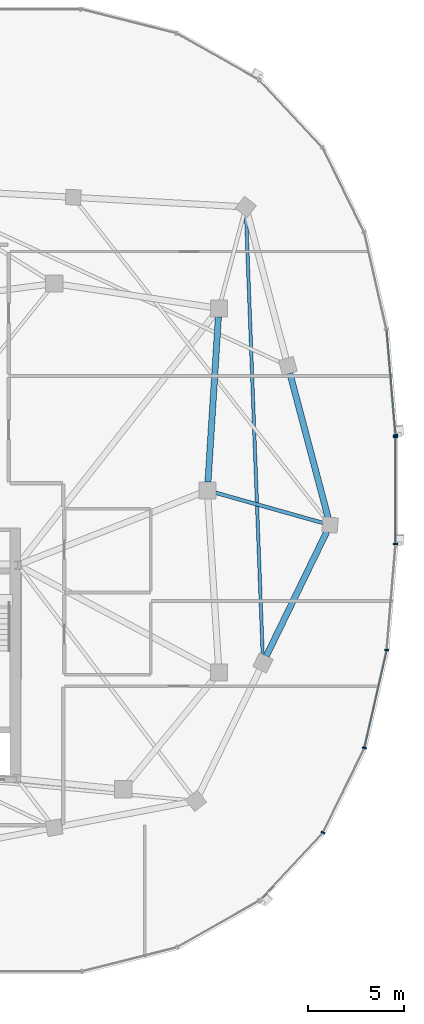
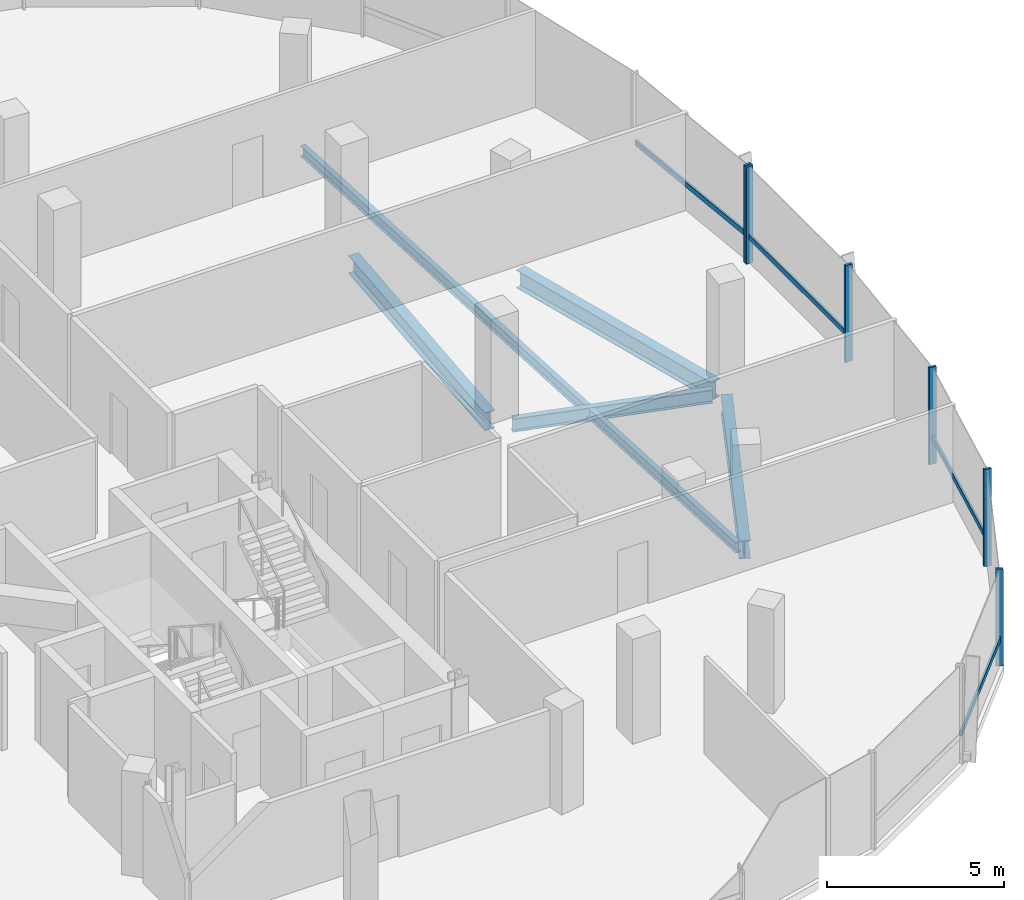
# One storey, part 9 of 25: 10 members, 5 beams, 2 elements without a shape of their own.
"""IFC4 building model written with IfcOpenShell, lengths in metres."""

from ifc_helpers import new_model, si_unit, direction, frame, origin, origin_2d, place, context, subcontext, project, spatial, rectangle, i_section, extrude, material, material_profile, profile_set, type_object, element, aggregate, save


model = new_model("IFC4")

# Units and contexts
model_context = context("Model", 3, precision=1e-05, world=origin(), true_north=direction((0.0, 1.0)))
body_context = subcontext(model_context, "Body", "Model", "MODEL_VIEW")
ifc_project = project(units=[si_unit("LENGTHUNIT", "METRE"), si_unit("AREAUNIT", "SQUARE_METRE"), si_unit("VOLUMEUNIT", "CUBIC_METRE"), si_unit("PLANEANGLEUNIT", "RADIAN"), si_unit("MASSUNIT", "GRAM", prefix="KILO"), si_unit("THERMODYNAMICTEMPERATUREUNIT", "KELVIN"), si_unit("POWERUNIT", "WATT")], contexts=[model_context])

# Site, building, storey
site_placement = place(None, origin())
site = spatial("IfcSite", under=ifc_project, at=site_placement, CompositionType="ELEMENT")
building_placement = place(site_placement, origin())
building = spatial("IfcBuilding", under=site, at=building_placement, Name="Cundina Bronze Exchange", CompositionType="ELEMENT")
storey_placement = place(building_placement, frame((0.0, 0.0, 250.39990234375)))
storey = spatial("IfcBuildingStorey", under=building, at=storey_placement, Name="L66", CompositionType="ELEMENT", Elevation=250.39990234375)

# Beams
ifc_material_1 = material(Name="Steel ASTM A992 Grade 50", Category="steel")
ifc_material_profile_1 = material_profile(ifc_material_1, i_section(OverallWidth=0.19091796875, OverallDepth=0.4599609375, WebThickness=0.010009765625, FlangeThickness=0.01611328125, FilletRadius=0.011962890625, at=origin_2d()), Name="W18X55", Category="steel")
ifc_profile_set_1 = profile_set([ifc_material_profile_1], Name="Steel ASTM A992 Grade 50")
beam_type_1 = type_object("IfcBeamType", Name="BM-FLR-W18B", PredefinedType="BEAM", material=ifc_profile_set_1)
beam_1_placement = place(storey_placement, frame((41.62158203125, -0.11865234375, -0.489990234375), z_axis=(0.962650257113, -0.270748005496, 0.0), x_axis=(0.270748005496, 0.962650257113, 0.0)))
element("IfcBeam", 1, at=beam_1_placement, inside=storey, type_object=beam_type_1, Name="L66 Leg E Chordal Floor Beam 08", PredefinedType="BEAM", context=body_context, shape_type="SweptSolid", body=[
    extrude(i_section(OverallWidth=0.19091796875, OverallDepth=0.4599609375, WebThickness=0.010009765625, FlangeThickness=0.01611328125, FilletRadius=0.011962890625, at=origin_2d()), origin(), (0.0, 0.0, 1.0), 5.822509765625),
])
ifc_material_profile_2 = material_profile(ifc_material_1, i_section(OverallWidth=0.172119140625, OverallDepth=0.35791015625, WebThickness=0.0078125, FlangeThickness=0.01318359375, FilletRadius=0.010009765625, at=origin_2d()), Name="W14X38", Category="steel")
ifc_profile_set_2 = profile_set([ifc_material_profile_2], Name="Steel ASTM A992 Grade 50")
beam_type_2 = type_object("IfcBeamType", Name="BM-JST-W14", PredefinedType="JOIST", material=ifc_profile_set_2)
beam_2_placement = place(storey_placement, frame((44.085205078125, -8.6123046875, -0.43896484375), z_axis=(-0.037784872152, 0.999285896746, 0.0), x_axis=(-0.999285896746, -0.037784872152, 0.0)))
element("IfcBeam", 2, at=beam_2_placement, inside=storey, type_object=beam_type_2, Name="L66 Leg E Lobe Floor Joist 07-10", PredefinedType="JOIST", context=body_context, shape_type="SweptSolid", body=[
    extrude(i_section(OverallWidth=0.172119140625, OverallDepth=0.35791015625, WebThickness=0.0078125, FlangeThickness=0.01318359375, FilletRadius=0.010009765625, at=origin_2d()), origin(), (0.0, 0.0, 1.0), 23.041015625),
])
ifc_material_profile_3 = material_profile(ifc_material_1, i_section(OverallWidth=0.324951171875, OverallDepth=0.615966796875, WebThickness=0.013916015625, FlangeThickness=0.021484375, FilletRadius=0.01611328125, at=origin_2d()), Name="W24X117", Category="steel")
ifc_profile_set_3 = profile_set([ifc_material_profile_3], Name="Steel ASTM A992 Grade 50")
beam_type_3 = type_object("IfcBeamType", Name="BM-RING-W24", PredefinedType="USERDEFINED", material=ifc_profile_set_3)
beam_3_placement = place(storey_placement, frame((41.2275390625, 0.43701171875, -0.56787109375), z_axis=(0.063046519736, 0.998010589297, 0.0), x_axis=(-0.998010589297, 0.063046519736, 0.0)))
element("IfcBeam", 3, at=beam_3_placement, inside=storey, type_object=beam_type_3, Name="L66 E Inner Structural Ring Girder 04", ObjectType="GIRDER", PredefinedType="USERDEFINED", context=body_context, shape_type="SweptSolid", body=[
    extrude(i_section(OverallWidth=0.324951171875, OverallDepth=0.615966796875, WebThickness=0.013916015625, FlangeThickness=0.021484375, FilletRadius=0.01611328125, at=origin_2d()), origin(), (0.0, 0.0, 1.0), 8.64306640625),
])
beam_4_placement = place(storey_placement, frame((44.26953125, -8.65087890625, -0.56787109375), z_axis=(0.437216986791, 0.899356050995, 0.0), x_axis=(-0.899356050995, 0.437216986791, 0.0)))
element("IfcBeam", 4, at=beam_4_placement, inside=storey, type_object=beam_type_3, Name="L66 E Perimeter Ring Girder 07", ObjectType="GIRDER", PredefinedType="USERDEFINED", context=body_context, shape_type="SweptSolid", body=[
    extrude(i_section(OverallWidth=0.324951171875, OverallDepth=0.615966796875, WebThickness=0.013916015625, FlangeThickness=0.021484375, FilletRadius=0.01611328125, at=origin_2d()), origin(), (0.0, 0.0, 1.0), 7.2294921875),
])
beam_5_placement = place(storey_placement, frame((47.50048828125, -1.425048828125, -0.56787109375), z_axis=(-0.256183793797, 0.966628089699, 0.0), x_axis=(-0.966628089699, -0.256183793797, 0.0)))
element("IfcBeam", 5, at=beam_5_placement, inside=storey, type_object=beam_type_3, Name="L66 E Perimeter Ring Girder 08", ObjectType="GIRDER", PredefinedType="USERDEFINED", context=body_context, shape_type="SweptSolid", body=[
    extrude(i_section(OverallWidth=0.324951171875, OverallDepth=0.615966796875, WebThickness=0.013916015625, FlangeThickness=0.021484375, FilletRadius=0.01611328125, at=origin_2d()), origin(), (0.0, 0.0, 1.0), 7.810791015625),
])

# Curtain wall, member
ifc_material_2 = material(Name="Anodised Bronze Aluminium 6063-T6", Category="aluminium")
curtain_wall_type = type_object("IfcCurtainWallType", Name="CWS-SKG-BRG", PredefinedType="NOTDEFINED", material=ifc_material_2)
curtain_wall_1_placement = place(storey_placement, origin())
curtain_wall_1 = element("IfcCurtainWall", 6, at=curtain_wall_1_placement, inside=storey, type_object=curtain_wall_type, Name="L66 CW-06 Curtain Wall Run CWR-L66-E1", PredefinedType="NOTDEFINED")
ifc_material_profile_4 = material_profile(ifc_material_2, rectangle(XDim=0.074951171875, YDim=0.219970703125, at=origin_2d()), Name="AL75X220", Category="aluminium")
ifc_profile_set_4 = profile_set([ifc_material_profile_4], Name="Anodised Bronze Aluminium 6063-T6")
member_type_1 = type_object("IfcMemberType", Name="CWM-MUL-220", PredefinedType="MULLION", material=ifc_profile_set_4)
member_1_placement = place(storey_placement, frame((51.01513671875, 2.885498046875, 0.0), z_axis=(0.0, 0.0, 1.0), x_axis=(-0.083677843332, 0.99649285925, 0.0)))
member_1 = element("IfcMember", 7, at=member_1_placement, type_object=member_type_1, Name="CW-06 Mullion 1", PredefinedType="MULLION", context=body_context, shape_type="SweptSolid", body=[
    extrude(rectangle(XDim=0.074951171875, YDim=0.219970703125, at=origin_2d()), origin(), (0.0, 0.0, 1.0), 3.340087890625),
])

# Curtain wall, members
curtain_wall_2_placement = place(storey_placement, origin())
curtain_wall_2 = element("IfcCurtainWall", 8, at=curtain_wall_2_placement, inside=storey, type_object=curtain_wall_type, Name="L66 CW-06 Curtain Wall Run CWR-L66-E4", PredefinedType="NOTDEFINED")
member_2_placement = place(storey_placement, frame((47.2333984375, -17.856689453125, 0.0), z_axis=(0.0, 0.0, 1.0), x_axis=(0.440566004113, 0.897720221461, 0.0)))
member_2 = element("IfcMember", 9, at=member_2_placement, type_object=member_type_1, Name="CW-06 Mullion 2", PredefinedType="MULLION", context=body_context, shape_type="SweptSolid", body=[
    extrude(rectangle(XDim=0.074951171875, YDim=0.219970703125, at=origin_2d()), origin(), (0.0, 0.0, 1.0), 3.340087890625),
])
member_3_placement = place(storey_placement, frame((49.39404296875, -13.433837890625, 0.0), z_axis=(0.0, 0.0, 1.0), x_axis=(0.223250116011, 0.974761194191, 0.0)))
member_3 = element("IfcMember", 10, at=member_3_placement, type_object=member_type_1, Name="CW-06 Mullion 3", PredefinedType="MULLION", context=body_context, shape_type="SweptSolid", body=[
    extrude(rectangle(XDim=0.074951171875, YDim=0.219970703125, at=origin_2d()), origin(), (0.0, 0.0, 1.0), 3.340087890625),
])
member_4_placement = place(storey_placement, frame((50.557861328125, -8.32568359375, 0.0), z_axis=(0.0, 0.0, 1.0), x_axis=(0.083677843332, 0.99649285925, 0.0)))
member_4 = element("IfcMember", 11, at=member_4_placement, type_object=member_type_1, Name="CW-06 Mullion 4", PredefinedType="MULLION", context=body_context, shape_type="SweptSolid", body=[
    extrude(rectangle(XDim=0.074951171875, YDim=0.219970703125, at=origin_2d()), origin(), (0.0, 0.0, 1.0), 3.340087890625),
])
member_5_placement = place(storey_placement, frame((51.01904296875, -2.79150390625, 0.0), z_axis=(0.0, 0.0, 1.0), x_axis=(0.0, 1.0, 0.0)))
member_5 = element("IfcMember", 12, at=member_5_placement, type_object=member_type_1, Name="CW-06 Mullion 5", PredefinedType="MULLION", context=body_context, shape_type="SweptSolid", body=[
    extrude(rectangle(XDim=0.074951171875, YDim=0.219970703125, at=origin_2d()), origin(), (0.0, 0.0, 1.0), 3.340087890625),
])
member_6_placement = place(storey_placement, frame((51.01904296875, 2.79150390625, 0.0), z_axis=(0.0, 0.0, 1.0), x_axis=(0.0, 1.0, 0.0)))
member_6 = element("IfcMember", 13, at=member_6_placement, type_object=member_type_1, Name="CW-06 End Mullion", PredefinedType="MULLION", context=body_context, shape_type="SweptSolid", body=[
    extrude(rectangle(XDim=0.074951171875, YDim=0.219970703125, at=origin_2d()), origin(), (0.0, 0.0, 1.0), 3.340087890625),
])

# Member
ifc_material_profile_5 = material_profile(ifc_material_2, rectangle(XDim=0.070068359375, YDim=0.179931640625, at=origin_2d()), Name="AL70X180", Category="aluminium")
ifc_profile_set_5 = profile_set([ifc_material_profile_5], Name="Anodised Bronze Aluminium 6063-T6")
member_type_2 = type_object("IfcMemberType", Name="CWM-TRN-180", PredefinedType="USERDEFINED", material=ifc_profile_set_5)
member_7_placement = place(storey_placement, frame((51.01171875, 2.926513671875, 0.920166015625), z_axis=(-0.083756005485, 0.996486292703, 0.0), x_axis=(-0.996486292703, -0.083756005485, 0.0)))
member_7 = element("IfcMember", 14, at=member_7_placement, type_object=member_type_2, Name="CW-06 Spandrel Transom 1", ObjectType="TRANSOM", PredefinedType="USERDEFINED", context=body_context, shape_type="SweptSolid", body=[
    extrude(rectangle(XDim=0.070068359375, YDim=0.179931640625, at=origin_2d()), origin(), (0.0, 0.0, 1.0), 5.459716796875),
])

aggregate(curtain_wall_1, [member_1, member_7])

member_8_placement = place(storey_placement, frame((43.968505859375, -21.349609375, 0.920166015625), z_axis=(0.684328474899, 0.729173873944, 0.0), x_axis=(-0.729173873944, 0.684328474899, 0.0)))
member_8 = element("IfcMember", 15, at=member_8_placement, type_object=member_type_2, Name="CW-06 Spandrel Transom 1", ObjectType="TRANSOM", PredefinedType="USERDEFINED", context=body_context, shape_type="SweptSolid", body=[
    extrude(rectangle(XDim=0.070068359375, YDim=0.179931640625, at=origin_2d()), origin(), (0.0, 0.0, 1.0), 4.758056640625),
])

member_9_placement = place(storey_placement, frame((49.4033203125, -13.3935546875, 0.920166015625), z_axis=(0.223257048806, 0.974759606343, 0.0), x_axis=(-0.974759606343, 0.223257048806, 0.0)))
member_9 = element("IfcMember", 16, at=member_9_placement, type_object=member_type_2, Name="CW-06 Spandrel Transom 3", ObjectType="TRANSOM", PredefinedType="USERDEFINED", context=body_context, shape_type="SweptSolid", body=[
    extrude(rectangle(XDim=0.070068359375, YDim=0.179931640625, at=origin_2d()), origin(), (0.0, 0.0, 1.0), 5.15283203125),
])

member_10_placement = place(storey_placement, frame((51.01904296875, -2.750244140625, 0.920166015625), z_axis=(0.0, 1.0, 0.0), x_axis=(-1.0, 0.0, 0.0)))
member_10 = element("IfcMember", 17, at=member_10_placement, type_object=member_type_2, Name="CW-06 Spandrel Transom 5", ObjectType="TRANSOM", PredefinedType="USERDEFINED", context=body_context, shape_type="SweptSolid", body=[
    extrude(rectangle(XDim=0.070068359375, YDim=0.179931640625, at=origin_2d()), origin(), (0.0, 0.0, 1.0), 5.50048828125),
])

aggregate(curtain_wall_2, [member_8, member_2, member_3, member_9, member_4, member_5, member_6, member_10])

save(model, "model.ifc")
